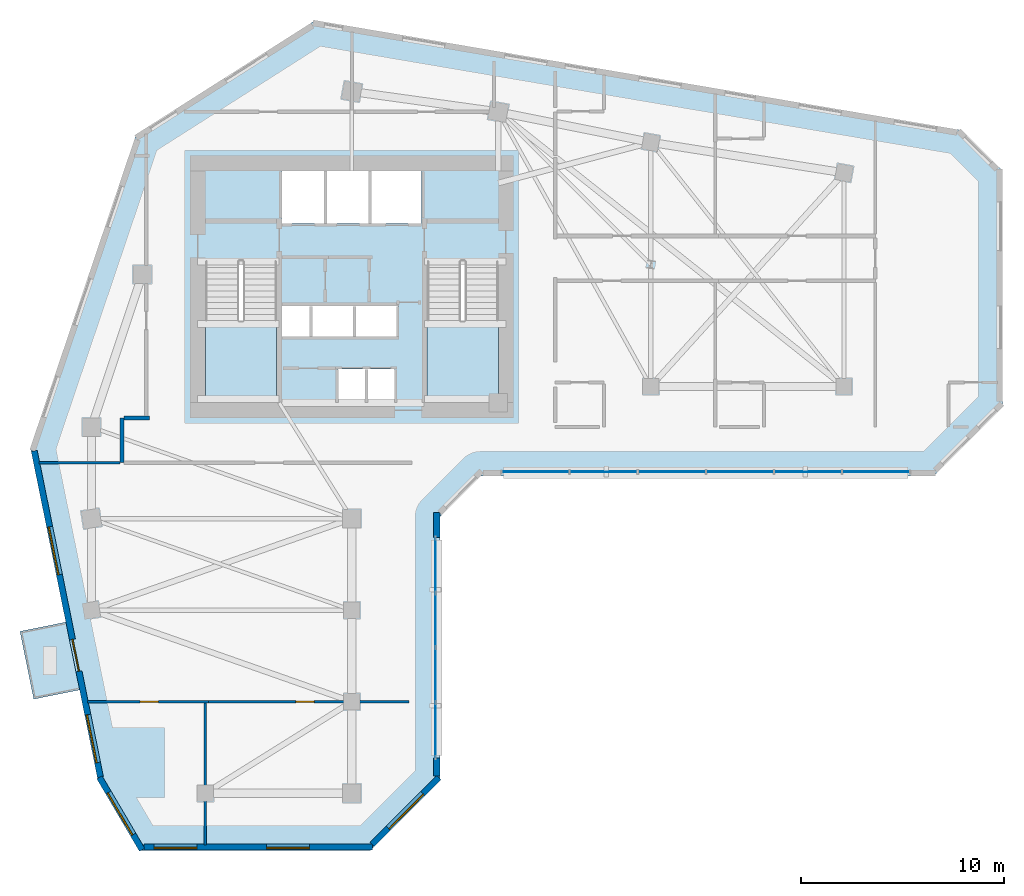
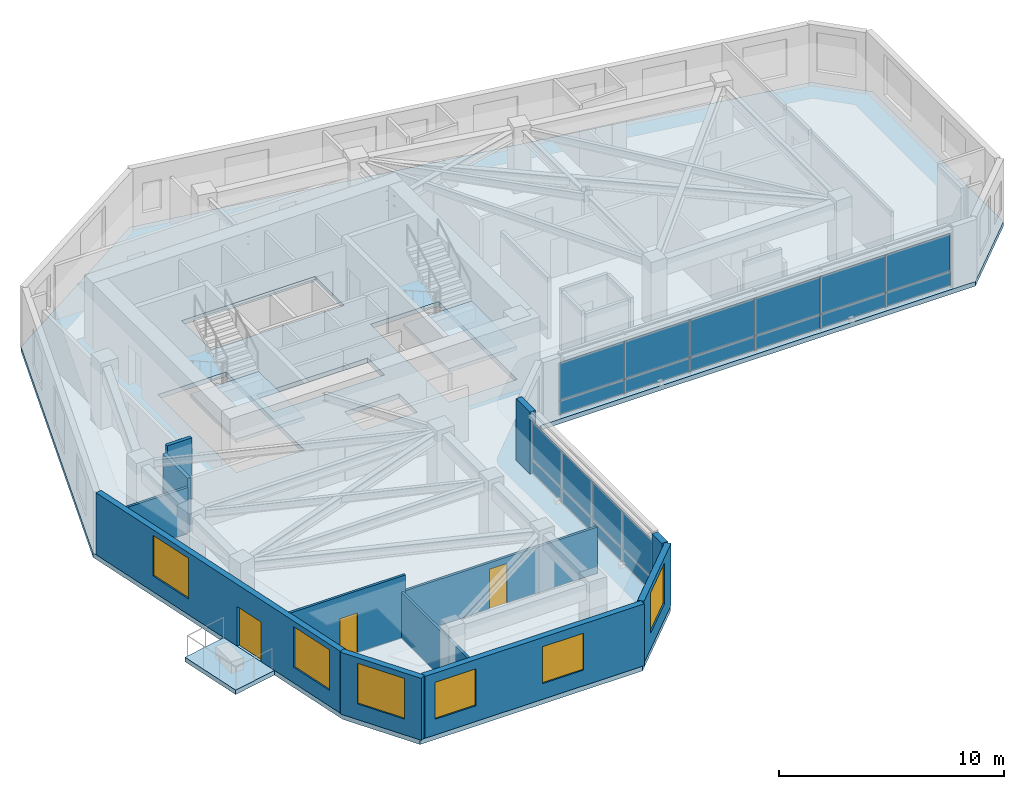
# One storey, part 4 of 11: 20 plates, 12 walls, 6 windows, 4 slabs, 3 doors, 9 openings, 4 elements without a shape of their own.
"""IFC4 building model written with IfcOpenShell, lengths in metres."""

from ifc_helpers import new_model, si_unit, direction, frame, frame_2d, origin, place, context, subcontext, project, spatial, polyline, rectangle, outline, extrude, source, transform, mapped, material, layer, layer_set, type_object, element, fill, aggregate, save


model = new_model("IFC4")

# Units and contexts
model_context = context("Model", 3, precision=1e-05, world=origin(), true_north=direction((0.0, 1.0)))
body_context = subcontext(model_context, "Body", "Model", "MODEL_VIEW")
ifc_project = project(units=[si_unit("LENGTHUNIT", "METRE"), si_unit("AREAUNIT", "SQUARE_METRE"), si_unit("VOLUMEUNIT", "CUBIC_METRE"), si_unit("PLANEANGLEUNIT", "RADIAN"), si_unit("MASSUNIT", "GRAM", prefix="KILO")], contexts=[model_context])

# Site, building, storey
site_placement = place(None, origin())
site = spatial("IfcSite", under=ifc_project, at=site_placement, CompositionType="ELEMENT")
building_placement = place(site_placement, origin())
building = spatial("IfcBuilding", under=site, at=building_placement, Name="Calvemar Wedge Station Tower", CompositionType="ELEMENT")
storey_placement = place(building_placement, frame((0.0, 0.0, 157.39990234375)))
storey = spatial("IfcBuildingStorey", under=building, at=storey_placement, Name="L39", CompositionType="ELEMENT", Elevation=157.39990234375)

# Curtain wall, plates
ifc_material_1 = material(Name="Anodised aluminium 6063-T6", Category="aluminium")
curtain_wall_type = type_object("IfcCurtainWallType", Name="CW2", PredefinedType="NOTDEFINED", material=ifc_material_1)
curtain_wall_1_placement = place(storey_placement, origin())
curtain_wall_1 = element("IfcCurtainWall", 1, at=curtain_wall_1_placement, inside=storey, type_object=curtain_wall_type, Name="Storey L39 CW2 Recessed Unitised Curtain Wall 4", PredefinedType="NOTDEFINED")
ifc_material_2 = material(Name="Low-E laminated insulated glass", Category="glass")
ifc_layer_1 = layer(ifc_material_2, 0.028076171875)
ifc_layer_set_1 = layer_set([ifc_layer_1], Name="Low-E laminated insulated glass")
plate_type_1 = type_object("IfcPlateType", Name="CW2-GLZ", PredefinedType="CURTAIN_PANEL", material=ifc_layer_set_1)
plate_1_placement = place(storey_placement, frame((27.91796875, 16.780029296875, 0.8701171875), z_axis=(0.0, 0.0, 1.0), x_axis=(0.0, 1.0, 0.0)))
plate_1 = element("IfcPlate", 2, at=plate_1_placement, type_object=plate_type_1, Name="CW2 vision glass panel 1", PredefinedType="CURTAIN_PANEL", context=body_context, shape_type="SweptSolid", body=[
    extrude(rectangle(XDim=2.662109375, YDim=0.028076171875, at=frame_2d((1.3310546875, 0.0))), origin(), (0.0, 0.0, 1.0), 2.010009765625),
])
plate_2_placement = place(storey_placement, frame((27.91796875, 19.47802734375, 0.8701171875), z_axis=(0.0, 0.0, 1.0), x_axis=(0.0, 1.0, 0.0)))
plate_2 = element("IfcPlate", 3, at=plate_2_placement, type_object=plate_type_1, Name="CW2 vision glass panel 2", PredefinedType="CURTAIN_PANEL", context=body_context, shape_type="SweptSolid", body=[
    extrude(rectangle(XDim=2.662109375, YDim=0.028076171875, at=frame_2d((1.3310546875, 0.0))), origin(), (0.0, 0.0, 1.0), 2.010009765625),
])
plate_3_placement = place(storey_placement, frame((27.91796875, 22.176025390625, 0.8701171875), z_axis=(0.0, 0.0, 1.0), x_axis=(0.0, 1.0, 0.0)))
plate_3 = element("IfcPlate", 4, at=plate_3_placement, type_object=plate_type_1, Name="CW2 vision glass panel 3", PredefinedType="CURTAIN_PANEL", context=body_context, shape_type="SweptSolid", body=[
    extrude(rectangle(XDim=2.662109375, YDim=0.028076171875, at=frame_2d((1.3310546875, 0.0))), origin(), (0.0, 0.0, 1.0), 2.010009765625),
])
plate_4_placement = place(storey_placement, frame((27.91796875, 24.8740234375, 0.8701171875), z_axis=(0.0, 0.0, 1.0), x_axis=(0.0, 1.0, 0.0)))
plate_4 = element("IfcPlate", 5, at=plate_4_placement, type_object=plate_type_1, Name="CW2 vision glass panel 4", PredefinedType="CURTAIN_PANEL", context=body_context, shape_type="SweptSolid", body=[
    extrude(rectangle(XDim=2.662109375, YDim=0.028076171875, at=frame_2d((1.3310546875, 0.0))), origin(), (0.0, 0.0, 1.0), 2.010009765625),
])

curtain_wall_2_placement = place(storey_placement, origin())
curtain_wall_2 = element("IfcCurtainWall", 6, at=curtain_wall_2_placement, inside=storey, type_object=curtain_wall_type, Name="Storey L39 CW2 Recessed Unitised Curtain Wall 6", PredefinedType="NOTDEFINED")
plate_5_placement = place(storey_placement, frame((31.183837890625, 30.802001953125, 0.8701171875), z_axis=(0.0, 0.0, 1.0), x_axis=(1.0, 0.0, 0.0)))
plate_5 = element("IfcPlate", 7, at=plate_5_placement, type_object=plate_type_1, Name="CW2 vision glass panel 1", PredefinedType="CURTAIN_PANEL", context=body_context, shape_type="SweptSolid", body=[
    extrude(rectangle(XDim=3.309326171875, YDim=0.028076171875, at=frame_2d((1.65478515625, 0.0))), origin(), (0.0, 0.0, 1.0), 2.010009765625),
])
plate_6_placement = place(storey_placement, frame((34.529296875, 30.802001953125, 0.8701171875), z_axis=(0.0, 0.0, 1.0), x_axis=(1.0, 0.0, 0.0)))
plate_6 = element("IfcPlate", 8, at=plate_6_placement, type_object=plate_type_1, Name="CW2 vision glass panel 2", PredefinedType="CURTAIN_PANEL", context=body_context, shape_type="SweptSolid", body=[
    extrude(rectangle(XDim=3.309326171875, YDim=0.028076171875, at=frame_2d((1.65478515625, 0.0))), origin(), (0.0, 0.0, 1.0), 2.010009765625),
])
plate_7_placement = place(storey_placement, frame((37.87451171875, 30.802001953125, 0.8701171875), z_axis=(0.0, 0.0, 1.0), x_axis=(1.0, 0.0, 0.0)))
plate_7 = element("IfcPlate", 9, at=plate_7_placement, type_object=plate_type_1, Name="CW2 vision glass panel 3", PredefinedType="CURTAIN_PANEL", context=body_context, shape_type="SweptSolid", body=[
    extrude(rectangle(XDim=3.309326171875, YDim=0.028076171875, at=frame_2d((1.65478515625, 0.0))), origin(), (0.0, 0.0, 1.0), 2.010009765625),
])
plate_8_placement = place(storey_placement, frame((41.219970703125, 30.802001953125, 0.8701171875), z_axis=(0.0, 0.0, 1.0), x_axis=(1.0, 0.0, 0.0)))
plate_8 = element("IfcPlate", 10, at=plate_8_placement, type_object=plate_type_1, Name="CW2 vision glass panel 4", PredefinedType="CURTAIN_PANEL", context=body_context, shape_type="SweptSolid", body=[
    extrude(rectangle(XDim=3.309326171875, YDim=0.028076171875, at=frame_2d((1.65478515625, 0.0))), origin(), (0.0, 0.0, 1.0), 2.010009765625),
])
plate_9_placement = place(storey_placement, frame((44.565185546875, 30.802001953125, 0.8701171875), z_axis=(0.0, 0.0, 1.0), x_axis=(1.0, 0.0, 0.0)))
plate_9 = element("IfcPlate", 11, at=plate_9_placement, type_object=plate_type_1, Name="CW2 vision glass panel 5", PredefinedType="CURTAIN_PANEL", context=body_context, shape_type="SweptSolid", body=[
    extrude(rectangle(XDim=3.309326171875, YDim=0.028076171875, at=frame_2d((1.65478515625, 0.0))), origin(), (0.0, 0.0, 1.0), 2.010009765625),
])
plate_10_placement = place(storey_placement, frame((47.91064453125, 30.802001953125, 0.8701171875), z_axis=(0.0, 0.0, 1.0), x_axis=(1.0, 0.0, 0.0)))
plate_10 = element("IfcPlate", 12, at=plate_10_placement, type_object=plate_type_1, Name="CW2 vision glass panel 6", PredefinedType="CURTAIN_PANEL", context=body_context, shape_type="SweptSolid", body=[
    extrude(rectangle(XDim=3.309326171875, YDim=0.028076171875, at=frame_2d((1.65478515625, 0.0))), origin(), (0.0, 0.0, 1.0), 2.010009765625),
])

# Plate
ifc_material_3 = material(Name="Oxidized bronze aluminium spandrel panel 5005-H24", Category="aluminium")
ifc_layer_2 = layer(ifc_material_3, 0.0400390625)
ifc_layer_set_2 = layer_set([ifc_layer_2], Name="Oxidized bronze aluminium spandrel panel 5005-H24")
plate_type_2 = type_object("IfcPlateType", Name="CW2-SPD", PredefinedType="SHEET", material=ifc_layer_set_2)
plate_11_placement = place(storey_placement, frame((27.91796875, 16.780029296875, 0.080078125), z_axis=(0.0, 0.0, 1.0), x_axis=(0.0, 1.0, 0.0)))
plate_11 = element("IfcPlate", 13, at=plate_11_placement, type_object=plate_type_2, Name="CW2 bronze spandrel panel 1", PredefinedType="SHEET", context=body_context, shape_type="SweptSolid", body=[
    extrude(rectangle(XDim=2.662109375, YDim=0.0400390625, at=frame_2d((1.3310546875, 0.0))), origin(), (0.0, 0.0, 1.0), 0.75),
])

plate_12_placement = place(storey_placement, frame((27.91796875, 19.47802734375, 0.080078125), z_axis=(0.0, 0.0, 1.0), x_axis=(0.0, 1.0, 0.0)))
plate_12 = element("IfcPlate", 14, at=plate_12_placement, type_object=plate_type_2, Name="CW2 bronze spandrel panel 2", PredefinedType="SHEET", context=body_context, shape_type="SweptSolid", body=[
    extrude(rectangle(XDim=2.662109375, YDim=0.0400390625, at=frame_2d((1.3310546875, 0.0))), origin(), (0.0, 0.0, 1.0), 0.75),
])

plate_13_placement = place(storey_placement, frame((27.91796875, 22.176025390625, 0.080078125), z_axis=(0.0, 0.0, 1.0), x_axis=(0.0, 1.0, 0.0)))
plate_13 = element("IfcPlate", 15, at=plate_13_placement, type_object=plate_type_2, Name="CW2 bronze spandrel panel 3", PredefinedType="SHEET", context=body_context, shape_type="SweptSolid", body=[
    extrude(rectangle(XDim=2.662109375, YDim=0.0400390625, at=frame_2d((1.3310546875, 0.0))), origin(), (0.0, 0.0, 1.0), 0.75),
])

plate_14_placement = place(storey_placement, frame((27.91796875, 24.8740234375, 0.080078125), z_axis=(0.0, 0.0, 1.0), x_axis=(0.0, 1.0, 0.0)))
plate_14 = element("IfcPlate", 16, at=plate_14_placement, type_object=plate_type_2, Name="CW2 bronze spandrel panel 4", PredefinedType="SHEET", context=body_context, shape_type="SweptSolid", body=[
    extrude(rectangle(XDim=2.662109375, YDim=0.0400390625, at=frame_2d((1.3310546875, 0.0))), origin(), (0.0, 0.0, 1.0), 0.75),
])

aggregate(curtain_wall_1, [plate_11, plate_1, plate_12, plate_2, plate_13, plate_3, plate_14, plate_4])

plate_15_placement = place(storey_placement, frame((31.183837890625, 30.802001953125, 0.080078125), z_axis=(0.0, 0.0, 1.0), x_axis=(1.0, 0.0, 0.0)))
plate_15 = element("IfcPlate", 17, at=plate_15_placement, type_object=plate_type_2, Name="CW2 bronze spandrel panel 1", PredefinedType="SHEET", context=body_context, shape_type="SweptSolid", body=[
    extrude(rectangle(XDim=3.309326171875, YDim=0.0400390625, at=frame_2d((1.65478515625, 0.0))), origin(), (0.0, 0.0, 1.0), 0.75),
])

plate_16_placement = place(storey_placement, frame((34.529296875, 30.802001953125, 0.080078125), z_axis=(0.0, 0.0, 1.0), x_axis=(1.0, 0.0, 0.0)))
plate_16 = element("IfcPlate", 18, at=plate_16_placement, type_object=plate_type_2, Name="CW2 bronze spandrel panel 2", PredefinedType="SHEET", context=body_context, shape_type="SweptSolid", body=[
    extrude(rectangle(XDim=3.309326171875, YDim=0.0400390625, at=frame_2d((1.65478515625, 0.0))), origin(), (0.0, 0.0, 1.0), 0.75),
])

plate_17_placement = place(storey_placement, frame((37.87451171875, 30.802001953125, 0.080078125), z_axis=(0.0, 0.0, 1.0), x_axis=(1.0, 0.0, 0.0)))
plate_17 = element("IfcPlate", 19, at=plate_17_placement, type_object=plate_type_2, Name="CW2 bronze spandrel panel 3", PredefinedType="SHEET", context=body_context, shape_type="SweptSolid", body=[
    extrude(rectangle(XDim=3.309326171875, YDim=0.0400390625, at=frame_2d((1.65478515625, 0.0))), origin(), (0.0, 0.0, 1.0), 0.75),
])

plate_18_placement = place(storey_placement, frame((41.219970703125, 30.802001953125, 0.080078125), z_axis=(0.0, 0.0, 1.0), x_axis=(1.0, 0.0, 0.0)))
plate_18 = element("IfcPlate", 20, at=plate_18_placement, type_object=plate_type_2, Name="CW2 bronze spandrel panel 4", PredefinedType="SHEET", context=body_context, shape_type="SweptSolid", body=[
    extrude(rectangle(XDim=3.309326171875, YDim=0.0400390625, at=frame_2d((1.65478515625, 0.0))), origin(), (0.0, 0.0, 1.0), 0.75),
])

plate_19_placement = place(storey_placement, frame((44.565185546875, 30.802001953125, 0.080078125), z_axis=(0.0, 0.0, 1.0), x_axis=(1.0, 0.0, 0.0)))
plate_19 = element("IfcPlate", 21, at=plate_19_placement, type_object=plate_type_2, Name="CW2 bronze spandrel panel 5", PredefinedType="SHEET", context=body_context, shape_type="SweptSolid", body=[
    extrude(rectangle(XDim=3.309326171875, YDim=0.0400390625, at=frame_2d((1.65478515625, 0.0))), origin(), (0.0, 0.0, 1.0), 0.75),
])

plate_20_placement = place(storey_placement, frame((47.91064453125, 30.802001953125, 0.080078125), z_axis=(0.0, 0.0, 1.0), x_axis=(1.0, 0.0, 0.0)))
plate_20 = element("IfcPlate", 22, at=plate_20_placement, type_object=plate_type_2, Name="CW2 bronze spandrel panel 6", PredefinedType="SHEET", context=body_context, shape_type="SweptSolid", body=[
    extrude(rectangle(XDim=3.309326171875, YDim=0.0400390625, at=frame_2d((1.65478515625, 0.0))), origin(), (0.0, 0.0, 1.0), 0.75),
])

aggregate(curtain_wall_2, [plate_15, plate_5, plate_16, plate_6, plate_17, plate_7, plate_18, plate_8, plate_19, plate_9, plate_20, plate_10])

# Stair, slab
ifc_material_4 = material(Name="Concrete C45", Category="concrete")
stair_type = type_object("IfcStairType", Name="ST-TYPE-3600", PredefinedType="HALF_TURN_STAIR", material=ifc_material_4)
stair_1_placement = place(storey_placement, origin())
stair_1 = element("IfcStair", 23, at=stair_1_placement, inside=storey, type_object=stair_type, Name="L39 Pressurized Core Exit Stair ST-C1", PredefinedType="HALF_TURN_STAIR")
ifc_layer_3 = layer(ifc_material_4, 0.199951171875)
ifc_layer_set_3 = layer_set([ifc_layer_3], Name="Concrete C45")
slab_type_1 = type_object("IfcSlabType", Name="SL-STAIR-LND-200", PredefinedType="LANDING", material=ifc_layer_set_3)
slab_1_placement = place(storey_placement, frame((0.0, 0.0, 1.60009765625)))
slab_1 = element("IfcSlab", 24, at=slab_1_placement, type_object=slab_type_1, Name="ST-C1 landing 1", PredefinedType="LANDING", context=body_context, shape_type="SweptSolid", body=[
    extrude(outline(polyline([(16.60009765625, 38.25), (16.60009765625, 34.199951171875), (20.10009765625, 34.199951171875), (20.10009765625, 38.25), (16.60009765625, 38.25)])), origin(), (0.0, 0.0, 1.0), 0.199951171875),
])
aggregate(stair_1, [slab_1])

stair_2_placement = place(storey_placement, origin())
stair_2 = element("IfcStair", 25, at=stair_2_placement, inside=storey, type_object=stair_type, Name="L39 Pressurized Core Exit Stair ST-C2", PredefinedType="HALF_TURN_STAIR")
slab_2_placement = place(storey_placement, frame((0.0, 0.0, 1.60009765625)))
slab_2 = element("IfcSlab", 26, at=slab_2_placement, type_object=slab_type_1, Name="ST-C2 landing 1", PredefinedType="LANDING", context=body_context, shape_type="SweptSolid", body=[
    extrude(outline(polyline([(27.5, 38.25), (27.5, 34.199951171875), (31.0, 34.199951171875), (31.0, 38.25), (27.5, 38.25)])), origin(), (0.0, 0.0, 1.0), 0.199951171875),
])
aggregate(stair_2, [slab_2])

# Slabs
ifc_layer_4 = layer(ifc_material_4, 0.239990234375)
ifc_layer_set_4 = layer_set([ifc_layer_4], Name="Concrete C45")
slab_type_2 = type_object("IfcSlabType", Name="SL-TERR-240", PredefinedType="FLOOR", material=ifc_layer_set_4)
slab_3_placement = place(storey_placement, frame((0.0, 0.0, -0.239990234375)))
element("IfcSlab", 27, at=slab_3_placement, inside=storey, type_object=slab_type_2, Name="Storey L39 Planted Spiral Terrace Slab", PredefinedType="FLOOR", context=body_context, shape_type="SweptSolid", body=[
    extrude(outline(polyline([(9.741943359375, 23.416015625), (7.488037109375, 22.958984375), (8.1640625, 19.626953125), (10.41796875, 20.083984375), (9.741943359375, 23.416015625)])), origin(), (0.0, 0.0, 1.0), 0.239990234375),
])
ifc_material_5 = material(Name="Concrete C50", Category="concrete")
ifc_layer_5 = layer(ifc_material_5, 0.25)
ifc_layer_set_5 = layer_set([ifc_layer_5], Name="Concrete C50")
slab_type_3 = type_object("IfcSlabType", Name="SL-TYP-250", PredefinedType="FLOOR", material=ifc_layer_set_5)
slab_4_placement = place(storey_placement, frame((0.0, 0.0, -0.25)))
element("IfcSlab", 28, at=slab_4_placement, inside=storey, type_object=slab_type_3, Name="Storey L39 Structural Floor Slab", PredefinedType="FLOOR", context=body_context, shape_type="SweptSolid", body=[
    extrude(outline(polyline([(8.0, 32.0), (11.327880859375, 15.60009765625), (13.327880859375, 12.199951171875), (24.72802734375, 12.199951171875), (28.1279296875, 15.60009765625), (28.1279296875, 28.592041015625), (30.1279296875, 30.592041015625), (52.39990234375, 30.592041015625), (55.800048828125, 33.991943359375), (55.800048828125, 45.592041015625), (53.800048828125, 47.592041015625), (22.0, 53.0), (13.199951171875, 47.39990234375), (8.0, 32.0)]), holes=[polyline([(24.52001953125, 35.85009765625), (24.510009765625, 35.85009765625), (23.1201171875, 35.85009765625), (23.1201171875, 34.219970703125), (24.510009765625, 34.219970703125), (24.52001953125, 34.219970703125), (25.909912109375, 34.219970703125), (25.909912109375, 35.85009765625), (24.52001953125, 35.85009765625)]), polyline([(16.60009765625, 34.199951171875), (20.10009765625, 34.199951171875), (20.10009765625, 41.14990234375), (16.60009765625, 41.14990234375), (16.60009765625, 34.199951171875)]), polyline([(27.5, 34.199951171875), (31.0, 34.199951171875), (31.0, 41.14990234375), (27.5, 41.14990234375), (27.5, 34.199951171875)]), polyline([(21.800048828125, 38.949951171875), (21.7900390625, 38.949951171875), (20.3798828125, 38.949951171875), (20.3798828125, 37.449951171875), (21.7900390625, 37.449951171875), (21.800048828125, 37.449951171875), (23.929931640625, 37.449951171875), (23.93994140625, 37.449951171875), (26.080078125, 37.449951171875), (26.080078125, 38.949951171875), (23.93994140625, 38.949951171875), (23.929931640625, 38.949951171875), (21.800048828125, 38.949951171875)]), polyline([(27.219970703125, 43.0), (27.219970703125, 45.580078125), (20.3798828125, 45.580078125), (20.3798828125, 43.0), (27.219970703125, 43.0)])]), origin(), (0.0, 0.0, 1.0), 0.25),
])

# Walls
ifc_material_6 = material(Name="Double-stud fire-rated corridor partition")
ifc_layer_6 = layer(ifc_material_6, 0.179931640625)
ifc_layer_set_6 = layer_set([ifc_layer_6], Name="Double-stud fire-rated corridor partition")
wall_type_1 = type_object("IfcWallType", Name="W-CORR-180", PredefinedType="PARTITIONING", material=ifc_layer_set_6)
wall_1_placement = place(storey_placement, frame((12.5, 31.25, 0.0), z_axis=(0.0, 0.0, 1.0), x_axis=(0.0, 1.0, 0.0)))
element("IfcWall", 29, at=wall_1_placement, inside=storey, type_object=wall_type_1, Name="Storey L39 Interior Partition WL-L39-007", PredefinedType="PARTITIONING", context=body_context, shape_type="SweptSolid", body=[
    extrude(rectangle(XDim=2.199951171875, YDim=0.179931640625, at=frame_2d((1.10009765625, 0.0))), origin(), (0.0, 0.0, 1.0), 2.93505859375),
])
wall_2_placement = place(storey_placement, frame((12.593994140625, 33.449951171875, 0.0), z_axis=(0.0, 0.0, 1.0), x_axis=(1.0, 0.0, 0.0)))
element("IfcWall", 30, at=wall_2_placement, inside=storey, type_object=wall_type_1, Name="Storey L39 Interior Partition WL-L39-008", PredefinedType="PARTITIONING", context=body_context, shape_type="SweptSolid", body=[
    extrude(rectangle(XDim=1.26611328125, YDim=0.179931640625, at=frame_2d((0.633056640625, 0.0))), origin(), (0.0, 0.0, 1.0), 3.35009765625),
])

# Wall, opening, window
ifc_material_7 = material(Name="Precast concrete C45", Category="concrete")
ifc_layer_7 = layer(ifc_material_7, 0.300048828125)
ifc_layer_set_7 = layer_set([ifc_layer_7], Name="Precast concrete C45")
wall_type_2 = type_object("IfcWallType", Name="W-EXT-GFRC-300", PredefinedType="SOLIDWALL", material=ifc_layer_set_7)
wall_3_placement = place(storey_placement, frame((11.39404296875, 15.78369140625, 0.0), z_axis=(0.0, 0.0, 1.0), x_axis=(0.50698915279, -0.861952434275, 0.0)))
wall_3 = element("IfcWall", 31, at=wall_3_placement, inside=storey, type_object=wall_type_2, Name="Storey L39 Bronze GFRC Exterior Wall 1", PredefinedType="SOLIDWALL", context=body_context, shape_type="SweptSolid", body=[
    extrude(rectangle(XDim=4.133544921875, YDim=0.300048828125, at=frame_2d((2.06689453125, 0.0))), origin(), (0.0, 0.0, 1.0), 3.35009765625),
])
shared_shape_1 = source(origin(), body_context, "Body", "SweptSolid", [
    extrude(rectangle(XDim=2.39990234375, YDim=2.199951171875, at=frame_2d((1.199951171875, 1.10009765625))), frame((0.0, 0.16015625, 0.0), z_axis=(0.0, -1.0, 0.0), x_axis=(1.0, 0.0, 0.0)), (0.0, 0.0, 1.0), 0.320068359375),
])
opening_1_placement = place(wall_3_placement, frame((0.866943359375, 0.0, 0.85009765625)))
opening_1 = element("IfcOpeningElement", 32, at=opening_1_placement, cuts=wall_3, Name="Opening W1", PredefinedType="OPENING", context=body_context, shape_type="MappedRepresentation", body=[
    mapped(shared_shape_1, transform((0.0, 0.0, 0.0), scale=1.0)),
])
window_type_1 = type_object("IfcWindowType", Name="WIN-EXT-1", PartitioningType="SINGLE_PANEL", PredefinedType="WINDOW", material=ifc_material_2)
shared_shape_2 = source(origin(), body_context, "Body", "SweptSolid", [
    extrude(rectangle(XDim=2.39990234375, YDim=2.199951171875, at=frame_2d((1.199951171875, 1.10009765625))), frame((0.0, -0.014892578125, 0.0), z_axis=(0.0, -1.0, 0.0), x_axis=(1.0, 0.0, 0.0)), (0.0, 0.0, 1.0), 0.06005859375),
])
window_1_placement = place(opening_1_placement, origin())
window_1 = element("IfcWindow", 33, at=window_1_placement, inside=storey, type_object=window_type_1, Name="Storey L39 Recessed Window 1.1", OverallHeight=2.199951171875, OverallWidth=2.39990234375, PartitioningType="SINGLE_PANEL", PredefinedType="WINDOW", context=body_context, shape_type="MappedRepresentation", body=[
    mapped(shared_shape_2, transform((0.0, 0.0, 0.0), scale=1.0)),
])
fill(opening_1, window_1)

# Wall, openings, windows
wall_4_placement = place(storey_placement, frame((13.57373046875, 12.35009765625, 0.0), z_axis=(0.0, 0.0, 1.0), x_axis=(1.0, 0.0, 0.0)))
wall_4 = element("IfcWall", 34, at=wall_4_placement, inside=storey, type_object=wall_type_2, Name="Storey L39 Bronze GFRC Exterior Wall 2", PredefinedType="SOLIDWALL", context=body_context, shape_type="SweptSolid", body=[
    extrude(rectangle(XDim=11.2421875, YDim=0.300048828125, at=frame_2d((5.62109375, 0.0))), origin(), (0.0, 0.0, 1.0), 3.35009765625),
])
shared_shape_3 = source(origin(), body_context, "Body", "SweptSolid", [
    extrude(rectangle(XDim=2.10009765625, YDim=2.0, at=frame_2d((1.050048828125, 1.0))), frame((0.0, 0.16015625, 0.0), z_axis=(0.0, -1.0, 0.0), x_axis=(1.0, 0.0, 0.0)), (0.0, 0.0, 1.0), 0.320068359375),
])
opening_2_placement = place(wall_4_placement, frame((0.512939453125, 0.0, 0.85009765625)))
opening_2 = element("IfcOpeningElement", 35, at=opening_2_placement, cuts=wall_4, Name="Opening W4", PredefinedType="OPENING", context=body_context, shape_type="MappedRepresentation", body=[
    mapped(shared_shape_3, transform((0.0, 0.0, 0.0), scale=1.0)),
])
opening_3_placement = place(wall_4_placement, frame((6.033935546875, 0.0, 0.85009765625)))
opening_3 = element("IfcOpeningElement", 36, at=opening_3_placement, cuts=wall_4, Name="Opening W4", PredefinedType="OPENING", context=body_context, shape_type="MappedRepresentation", body=[
    mapped(shared_shape_3, transform((0.0, 0.0, 0.0), scale=1.0)),
])
window_type_2 = type_object("IfcWindowType", Name="WIN-EXT-4", PartitioningType="SINGLE_PANEL", PredefinedType="WINDOW", material=ifc_material_2)
shared_shape_4 = source(origin(), body_context, "Body", "SweptSolid", [
    extrude(rectangle(XDim=2.10009765625, YDim=2.0, at=frame_2d((1.050048828125, 1.0))), frame((0.0, -0.014892578125, 0.0), z_axis=(0.0, -1.0, 0.0), x_axis=(1.0, 0.0, 0.0)), (0.0, 0.0, 1.0), 0.06005859375),
])
window_2_placement = place(opening_2_placement, origin())
window_2 = element("IfcWindow", 37, at=window_2_placement, inside=storey, type_object=window_type_2, Name="Storey L39 Recessed Window 2.1", OverallHeight=2.0, OverallWidth=2.10009765625, PartitioningType="SINGLE_PANEL", PredefinedType="WINDOW", context=body_context, shape_type="MappedRepresentation", body=[
    mapped(shared_shape_4, transform((0.0, 0.0, 0.0), scale=1.0)),
])
fill(opening_2, window_2)
window_3_placement = place(opening_3_placement, origin())
window_3 = element("IfcWindow", 38, at=window_3_placement, inside=storey, type_object=window_type_2, Name="Storey L39 Recessed Window 2.2", OverallHeight=2.0, OverallWidth=2.10009765625, PartitioningType="SINGLE_PANEL", PredefinedType="WINDOW", context=body_context, shape_type="MappedRepresentation", body=[
    mapped(shared_shape_4, transform((0.0, 0.0, 0.0), scale=1.0)),
])
fill(opening_3, window_3)

# Wall, opening, window
wall_5_placement = place(storey_placement, frame((24.803955078125, 12.488037109375, 0.0), z_axis=(0.0, 0.0, 1.0), x_axis=(0.70708046583, 0.707133095564, 0.0)))
wall_5 = element("IfcWall", 39, at=wall_5_placement, inside=storey, type_object=wall_type_2, Name="Storey L39 Bronze GFRC Exterior Wall 3", PredefinedType="SOLIDWALL", context=body_context, shape_type="SweptSolid", body=[
    extrude(rectangle(XDim=4.638916015625, YDim=0.300048828125, at=frame_2d((2.3193359375, 0.0))), origin(), (0.0, 0.0, 1.0), 3.35009765625),
])
opening_4_placement = place(wall_5_placement, frame((1.118896484375, 0.0, 0.85009765625)))
opening_4 = element("IfcOpeningElement", 40, at=opening_4_placement, cuts=wall_5, Name="Opening W1", PredefinedType="OPENING", context=body_context, shape_type="MappedRepresentation", body=[
    mapped(shared_shape_1, transform((0.0, 0.0, 0.0), scale=1.0)),
])
window_4_placement = place(opening_4_placement, origin())
window_4 = element("IfcWindow", 41, at=window_4_placement, inside=storey, type_object=window_type_1, Name="Storey L39 Recessed Window 3.1", OverallHeight=2.199951171875, OverallWidth=2.39990234375, PartitioningType="SINGLE_PANEL", PredefinedType="WINDOW", context=body_context, shape_type="MappedRepresentation", body=[
    mapped(shared_shape_2, transform((0.0, 0.0, 0.0), scale=1.0)),
])
fill(opening_4, window_4)

# Walls
wall_6_placement = place(storey_placement, frame((27.97802734375, 15.857421875, 0.0), z_axis=(0.0, 0.0, 1.0), x_axis=(0.0, 1.0, 0.0)))
element("IfcWall", 42, at=wall_6_placement, inside=storey, type_object=wall_type_2, Name="Storey L39 Bronze GFRC Corner Pier 4A", PredefinedType="SOLIDWALL", context=body_context, shape_type="SweptSolid", body=[
    extrude(rectangle(XDim=0.882080078125, YDim=0.300048828125, at=frame_2d((0.44091796875, 0.0))), origin(), (0.0, 0.0, 1.0), 3.35009765625),
])
wall_7_placement = place(storey_placement, frame((27.97802734375, 27.57666015625, 0.0), z_axis=(0.0, 0.0, 1.0), x_axis=(0.0, 1.0, 0.0)))
element("IfcWall", 43, at=wall_7_placement, inside=storey, type_object=wall_type_2, Name="Storey L39 Bronze GFRC Corner Pier 4B", PredefinedType="SOLIDWALL", context=body_context, shape_type="SweptSolid", body=[
    extrude(rectangle(XDim=1.2275390625, YDim=0.300048828125, at=frame_2d((0.61376953125, 0.0))), origin(), (0.0, 0.0, 1.0), 3.35009765625),
])

# Wall, openings, windows, door
wall_8_placement = place(storey_placement, frame((8.186767578125, 31.833740234375, 0.0), z_axis=(0.0, 0.0, 1.0), x_axis=(0.198869838988, -0.980025911464, 0.0)))
wall_8 = element("IfcWall", 44, at=wall_8_placement, inside=storey, type_object=wall_type_2, Name="Storey L39 Bronze GFRC Exterior Wall 13", PredefinedType="SOLIDWALL", context=body_context, shape_type="SweptSolid", body=[
    extrude(rectangle(XDim=16.36328125, YDim=0.300048828125, at=frame_2d((8.181640625, 0.0))), origin(), (0.0, 0.0, 1.0), 3.35009765625),
])
shared_shape_5 = source(origin(), body_context, "Body", "SweptSolid", [
    extrude(rectangle(XDim=1.60009765625, YDim=2.14990234375, at=frame_2d((0.800048828125, 1.074951171875))), frame((0.0, 0.16015625, 0.0), z_axis=(0.0, -1.0, 0.0), x_axis=(1.0, 0.0, 0.0)), (0.0, 0.0, 1.0), 0.320068359375),
])
opening_5_placement = place(wall_8_placement, frame((9.458984375, 0.0, 0.0)))
opening_5 = element("IfcOpeningElement", 45, at=opening_5_placement, cuts=wall_8, Name="Opening DT1", PredefinedType="OPENING", context=body_context, shape_type="MappedRepresentation", body=[
    mapped(shared_shape_5, transform((0.0, 0.0, 0.0), scale=1.0)),
])
opening_6_placement = place(wall_8_placement, frame((3.80908203125, 0.0, 0.85009765625)))
opening_6 = element("IfcOpeningElement", 46, at=opening_6_placement, cuts=wall_8, Name="Opening W1", PredefinedType="OPENING", context=body_context, shape_type="MappedRepresentation", body=[
    mapped(shared_shape_1, transform((0.0, 0.0, 0.0), scale=1.0)),
])
opening_7_placement = place(wall_8_placement, frame((13.236083984375, 0.0, 0.85009765625)))
opening_7 = element("IfcOpeningElement", 47, at=opening_7_placement, cuts=wall_8, Name="Opening W1", PredefinedType="OPENING", context=body_context, shape_type="MappedRepresentation", body=[
    mapped(shared_shape_1, transform((0.0, 0.0, 0.0), scale=1.0)),
])
window_5_placement = place(opening_6_placement, origin())
window_5 = element("IfcWindow", 48, at=window_5_placement, inside=storey, type_object=window_type_1, Name="Storey L39 Recessed Window 13.1", OverallHeight=2.199951171875, OverallWidth=2.39990234375, PartitioningType="SINGLE_PANEL", PredefinedType="WINDOW", context=body_context, shape_type="MappedRepresentation", body=[
    mapped(shared_shape_2, transform((0.0, 0.0, 0.0), scale=1.0)),
])
fill(opening_6, window_5)
window_6_placement = place(opening_7_placement, origin())
window_6 = element("IfcWindow", 49, at=window_6_placement, inside=storey, type_object=window_type_1, Name="Storey L39 Recessed Window 13.2", OverallHeight=2.199951171875, OverallWidth=2.39990234375, PartitioningType="SINGLE_PANEL", PredefinedType="WINDOW", context=body_context, shape_type="MappedRepresentation", body=[
    mapped(shared_shape_2, transform((0.0, 0.0, 0.0), scale=1.0)),
])
fill(opening_7, window_6)
door_type_1 = type_object("IfcDoorType", Name="DR-TERR-1600", OperationType="DOUBLE_DOOR_SLIDING", PredefinedType="DOOR", material=ifc_material_1)
shared_shape_6 = source(origin(), body_context, "Body", "SweptSolid", [
    extrude(rectangle(XDim=1.60009765625, YDim=2.14990234375, at=frame_2d((0.800048828125, 1.074951171875))), frame((0.0, 0.02490234375, 0.0), z_axis=(0.0, -1.0, 0.0), x_axis=(1.0, 0.0, 0.0)), (0.0, 0.0, 1.0), 0.050048828125),
])
door_1_placement = place(opening_5_placement, origin())
door_1 = element("IfcDoor", 50, at=door_1_placement, inside=storey, type_object=door_type_1, Name="Storey L39 Spiral Terrace Door", OperationType="DOUBLE_DOOR_SLIDING", OverallHeight=2.14990234375, OverallWidth=1.60009765625, PredefinedType="DOOR", context=body_context, shape_type="MappedRepresentation", body=[
    mapped(shared_shape_6, transform((0.0, 0.0, 0.0), scale=1.0)),
])
fill(opening_5, door_1)

# Wall
ifc_material_8 = material(Name="Insulated acoustic gypsum stud partition")
ifc_layer_8 = layer(ifc_material_8, 0.125)
ifc_layer_set_8 = layer_set([ifc_layer_8], Name="Insulated acoustic gypsum stud partition")
wall_type_3 = type_object("IfcWallType", Name="W-PART-125", PredefinedType="PARTITIONING", material=ifc_layer_set_8)
wall_9_placement = place(storey_placement, frame((12.406005859375, 31.25, 0.0), z_axis=(0.0, 0.0, 1.0), x_axis=(-1.0, 0.0, 0.0)))
element("IfcWall", 51, at=wall_9_placement, inside=storey, type_object=wall_type_3, Name="Storey L39 Interior Partition WL-L39-017", PredefinedType="PARTITIONING", context=body_context, shape_type="SweptSolid", body=[
    extrude(rectangle(XDim=3.9833984375, YDim=0.125, at=frame_2d((1.99169921875, 0.0))), origin(), (0.0, 0.0, 1.0), 2.4921875),
])

# Wall, opening, door
wall_10_placement = place(storey_placement, frame((16.760009765625, 19.5, 0.0), z_axis=(0.0, 0.0, 1.0), x_axis=(-1.0, 0.0, 0.0)))
wall_10 = element("IfcWall", 52, at=wall_10_placement, inside=storey, type_object=wall_type_3, Name="Storey L39 Interior Partition WL-L39-040", PredefinedType="PARTITIONING", context=body_context, shape_type="SweptSolid", body=[
    extrude(rectangle(XDim=5.953125, YDim=0.125, at=frame_2d((2.9765625, 0.0))), origin(), (0.0, 0.0, 1.0), 3.35009765625),
])
shared_shape_7 = source(origin(), body_context, "Body", "SweptSolid", [
    extrude(rectangle(XDim=0.89990234375, YDim=2.14990234375, at=frame_2d((0.449951171875, 1.074951171875))), frame((0.0, 0.072509765625, 0.0), z_axis=(0.0, -1.0, 0.0), x_axis=(1.0, 0.0, 0.0)), (0.0, 0.0, 1.0), 0.14501953125),
])
opening_8_placement = place(wall_10_placement, frame((2.4658203125, 0.0, 0.0)))
opening_8 = element("IfcOpeningElement", 53, at=opening_8_placement, cuts=wall_10, Name="Opening D-01", PredefinedType="OPENING", context=body_context, shape_type="MappedRepresentation", body=[
    mapped(shared_shape_7, transform((0.0, 0.0, 0.0), scale=1.0)),
])
ifc_material_9 = material(Name="Architectural hardwood acoustic swing door", Category="wood")
door_type_2 = type_object("IfcDoorType", Name="DR-INT-900", OperationType="NOTDEFINED", PredefinedType="DOOR", material=ifc_material_9)
shared_shape_8 = source(origin(), body_context, "Body", "SweptSolid", [
    extrude(rectangle(XDim=0.89990234375, YDim=2.14990234375, at=frame_2d((0.449951171875, 1.074951171875))), frame((0.0, 0.02490234375, 0.0), z_axis=(0.0, -1.0, 0.0), x_axis=(1.0, 0.0, 0.0)), (0.0, 0.0, 1.0), 0.050048828125),
])
door_2_placement = place(opening_8_placement, origin())
door_2 = element("IfcDoor", 54, at=door_2_placement, inside=storey, type_object=door_type_2, Name="L39 Fitness Studio Door", OperationType="SINGLE_SWING_RIGHT", OverallHeight=2.14990234375, OverallWidth=0.89990234375, PredefinedType="DOOR", context=body_context, shape_type="MappedRepresentation", body=[
    mapped(shared_shape_8, transform((0.0, 0.0, 0.0), scale=1.0)),
])
fill(opening_8, door_2)

wall_11_placement = place(storey_placement, frame((26.60009765625, 19.5, 0.0), z_axis=(0.0, 0.0, 1.0), x_axis=(-1.0, 0.0, 0.0)))
wall_11 = element("IfcWall", 55, at=wall_11_placement, inside=storey, type_object=wall_type_3, Name="Storey L39 Interior Partition WL-L39-041", PredefinedType="PARTITIONING", context=body_context, shape_type="SweptSolid", body=[
    extrude(rectangle(XDim=9.838134765625, YDim=0.125, at=frame_2d((4.9189453125, 0.0))), origin(), (0.0, 0.0, 1.0), 2.4921875),
])
opening_9_placement = place(wall_11_placement, frame((4.651123046875, 0.0, 0.0)))
opening_9 = element("IfcOpeningElement", 56, at=opening_9_placement, cuts=wall_11, Name="Opening D-01", PredefinedType="OPENING", context=body_context, shape_type="MappedRepresentation", body=[
    mapped(shared_shape_7, transform((0.0, 0.0, 0.0), scale=1.0)),
])
door_3_placement = place(opening_9_placement, origin())
door_3 = element("IfcDoor", 57, at=door_3_placement, inside=storey, type_object=door_type_2, Name="L39 Tea Study Salon Door", OperationType="SINGLE_SWING_LEFT", OverallHeight=2.14990234375, OverallWidth=0.89990234375, PredefinedType="DOOR", context=body_context, shape_type="MappedRepresentation", body=[
    mapped(shared_shape_8, transform((0.0, 0.0, 0.0), scale=1.0)),
])
fill(opening_9, door_3)

# Wall
wall_12_placement = place(storey_placement, frame((16.60009765625, 19.43359375, 0.0), z_axis=(0.0, 0.0, 1.0), x_axis=(0.0, -1.0, 0.0)))
element("IfcWall", 58, at=wall_12_placement, inside=storey, type_object=wall_type_3, Name="Storey L39 Interior Partition WL-L39-042", PredefinedType="PARTITIONING", context=body_context, shape_type="SweptSolid", body=[
    extrude(rectangle(XDim=6.968505859375, YDim=0.125, at=frame_2d((3.484375, 0.0))), origin(), (0.0, 0.0, 1.0), 2.4921875),
])

save(model, "model.ifc")
